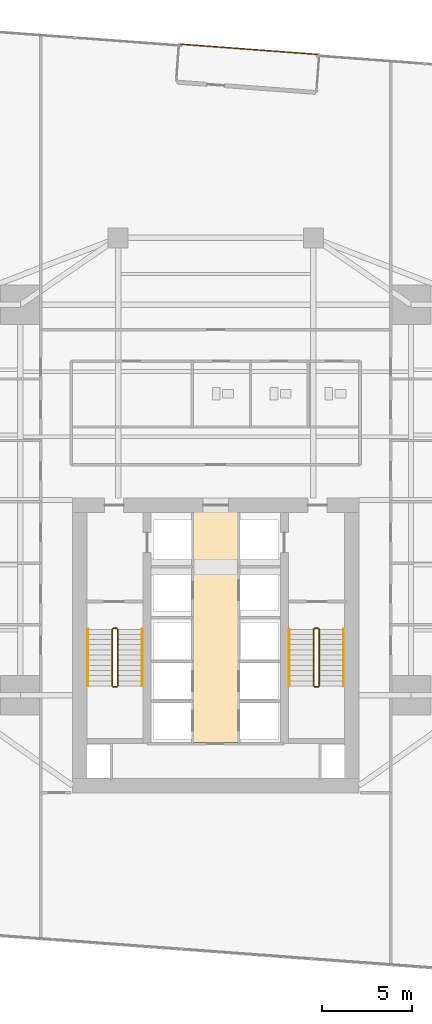
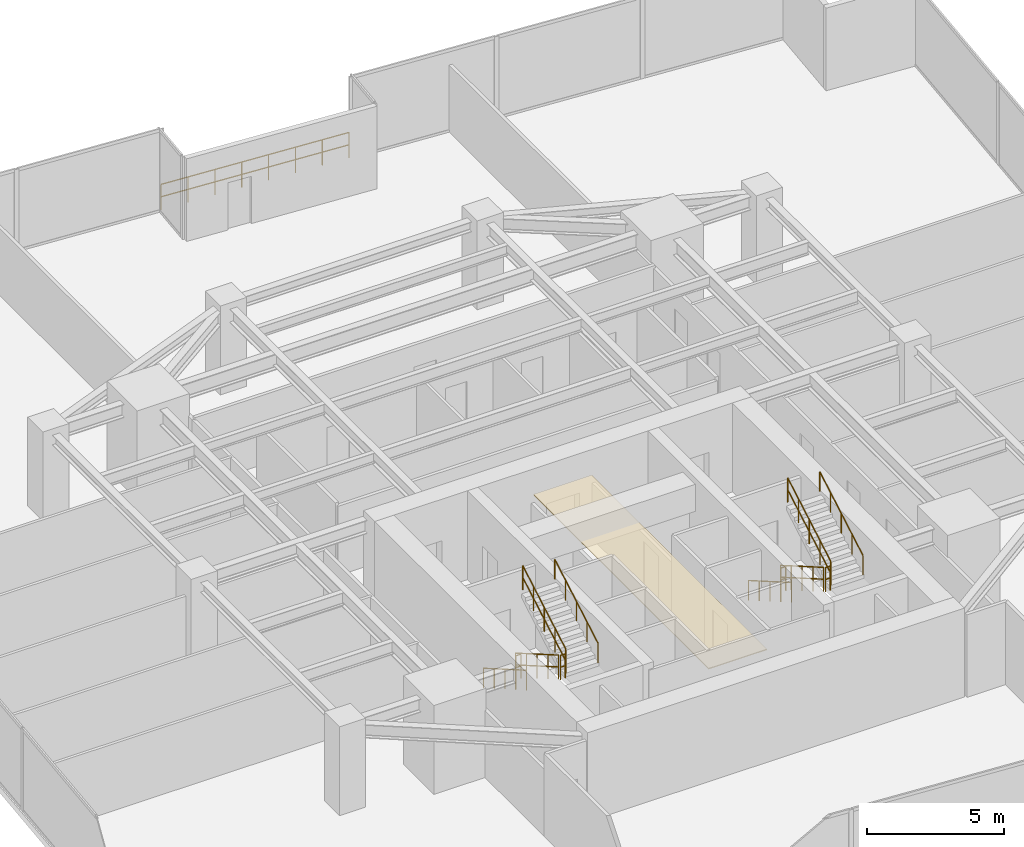
# One storey, part 29 of 30: 13 railings, 1 covering.
"""IFC4 building model written with IfcOpenShell, lengths in metres."""

import ifcopenshell
import ifcopenshell.guid

model = None  # the IFC model being written
_history = None  # IfcOwnerHistory: only IFC2X3 demands one
_inside = {}  # id of a spatial element -> (the spatial element, [elements in it])
_under = {}  # id of a project, library or spatial element -> (it, [spatial elements below it])
_declared = {}  # id of a project -> (the project, [libraries it declares])
_typed = {}  # id of a type object -> (the type object, [elements of that type])
_made_of = {}  # id of a material, layer set ... -> (it, [elements and type objects made of it])


def new_model(schema):
    """Start an empty IFC model of exactly this schema.

    Asked for "IFC4X3", IfcOpenShell would pick the latest addendum, in which some entities
    have other attributes; the version numbers below select the first issue.
    IFC2X3 requires an IfcOwnerHistory on every rooted entity: one is made here for all.
    """
    global model, _history
    if schema == "IFC4X3":
        model = ifcopenshell.file(schema_version=(4, 3, 0, 0))
    else:
        model = ifcopenshell.file(schema=schema)
    _inside.clear()
    _under.clear()
    _declared.clear()
    _typed.clear()
    _made_of.clear()
    _history = None
    if model.schema == "IFC2X3":
        org = make("IfcOrganization", Name="unknown")
        user = make(
            "IfcPersonAndOrganization",
            ThePerson=make("IfcPerson", FamilyName="unknown"),
            TheOrganization=org,
        )
        app = make(
            "IfcApplication",
            ApplicationDeveloper=org,
            Version="unknown",
            ApplicationFullName="unknown",
            ApplicationIdentifier="unknown",
        )
        _history = make(
            "IfcOwnerHistory",
            OwningUser=user,
            OwningApplication=app,
            ChangeAction="ADDED",
            CreationDate=0,
        )
    return model


def make(cls, **values):
    """One entity of the class cls with the attributes given. An attribute that is None is left unset."""
    return model.create_entity(
        cls, **{name: value for name, value in values.items() if value is not None}
    )


def rooted(cls, **values):
    """An entity with a GlobalId (a new one), such as an element, a storey or a relation."""
    return make(cls, GlobalId=ifcopenshell.guid.new(), OwnerHistory=_history, **values)


def si_unit(unit_type, name, prefix=None):
    """IfcSIUnit, for example si_unit("LENGTHUNIT", "METRE", prefix="MILLI")."""
    return make("IfcSIUnit", UnitType=unit_type, Prefix=prefix, Name=name)


def assignment(units):
    """IfcUnitAssignment: the units of a project."""
    return None if units is None else make("IfcUnitAssignment", Units=units)


def point(xyz):
    """IfcCartesianPoint."""
    return None if xyz is None else make("IfcCartesianPoint", Coordinates=xyz)


def direction(xyz):
    """IfcDirection."""
    return None if xyz is None else make("IfcDirection", DirectionRatios=xyz)


def frame(location, z_axis=None, x_axis=None):
    """IfcAxis2Placement3D, a coordinate frame: its origin and axes. An axis left out is left unset."""
    return make(
        "IfcAxis2Placement3D",
        Location=point(location),
        Axis=direction(z_axis),
        RefDirection=direction(x_axis),
    )


def frame_2d(location, x_axis=None):
    """IfcAxis2Placement2D, a coordinate frame in the plane: its origin and x axis."""
    return make(
        "IfcAxis2Placement2D", Location=point(location), RefDirection=direction(x_axis)
    )


def origin():
    """The frame at (0, 0, 0) with its axes left unset."""
    return frame((0.0, 0.0, 0.0))


def origin_2d():
    """The frame at (0, 0) in the plane with its x axis left unset."""
    return frame_2d((0.0, 0.0))


def place(relative_to, where):
    """IfcLocalPlacement: puts the frame where relative to a parent placement (None: the world)."""
    return make(
        "IfcLocalPlacement", PlacementRelTo=relative_to, RelativePlacement=where
    )


def context(
    kind, dimensions, precision=None, world=None, true_north=None, identifier=None
):
    """IfcGeometricRepresentationContext, for example the 3D "Model" context."""
    return make(
        "IfcGeometricRepresentationContext",
        ContextIdentifier=identifier,
        ContextType=kind,
        CoordinateSpaceDimension=dimensions,
        Precision=precision,
        WorldCoordinateSystem=world,
        TrueNorth=true_north,
    )


def subcontext(parent, identifier, kind, view, scale=None):
    """IfcGeometricRepresentationSubContext, for example "Body" below "Model"."""
    return make(
        "IfcGeometricRepresentationSubContext",
        ContextIdentifier=identifier,
        ContextType=kind,
        ParentContext=parent,
        TargetScale=scale,
        TargetView=view,
    )


def project(units=None, contexts=None):
    """IfcProject with its units and contexts."""
    return rooted(
        "IfcProject",
        Name="project",
        RepresentationContexts=contexts,
        UnitsInContext=assignment(units),
    )


def spatial(cls, under=None, at=None, **own):
    """A site, building, storey or space (cls), placed at a placement, below another one or the project."""
    s = rooted(cls, ObjectPlacement=at, **own)
    if under is not None:
        _under.setdefault(under.id(), (under, []))[1].append(s)
    return s


def polyline(points):
    """IfcPolyline through the points."""
    return make("IfcPolyline", Points=[point(p) for p in points])


def profile(cls, at=None, kind="AREA", **sizes):
    """A parametric profile (cls). Its sizes go by their IFC names, for example OverallWidth=200.0."""
    return make(cls, ProfileType=kind, Position=at, **sizes)


def circle(**sizes):
    """IfcCircleProfileDef."""
    return profile("IfcCircleProfileDef", **sizes)


def outline(outer, holes=None, kind="AREA"):
    """IfcArbitraryClosedProfileDef: a profile drawn as a closed curve; with holes, ...WithVoids."""
    if holes is None:
        return make("IfcArbitraryClosedProfileDef", ProfileType=kind, OuterCurve=outer)
    return make(
        "IfcArbitraryProfileDefWithVoids",
        ProfileType=kind,
        OuterCurve=outer,
        InnerCurves=holes,
    )


def extrude(swept, where, along, depth):
    """IfcExtrudedAreaSolid: the profile swept, set in the frame where, extruded along a direction by depth."""
    return make(
        "IfcExtrudedAreaSolid",
        SweptArea=swept,
        Position=where,
        ExtrudedDirection=direction(along),
        Depth=depth,
    )


def shape(context_of_items, identifier, shape_type, items):
    """IfcShapeRepresentation: the items that make up one representation, for example the "Body"."""
    return make(
        "IfcShapeRepresentation",
        ContextOfItems=context_of_items,
        RepresentationIdentifier=identifier,
        RepresentationType=shape_type,
        Items=items,
    )


def material(Name=None, Category=None):
    """IfcMaterial."""
    return make("IfcMaterial", Name=Name, Category=Category)


def layer(
    of_material, thickness, ventilated=None, Name=None, Category=None, Priority=None
):
    """IfcMaterialLayer: one layer of a wall or slab, of a material (None: an air gap)."""
    return make(
        "IfcMaterialLayer",
        Material=of_material,
        LayerThickness=thickness,
        IsVentilated=ventilated,
        Name=Name,
        Category=Category,
        Priority=Priority,
    )


def layer_set(layers, Name=None):
    """IfcMaterialLayerSet."""
    return make("IfcMaterialLayerSet", MaterialLayers=layers, LayerSetName=Name)


def made_of(thing, what):
    """Note that an element or type object is made of a material, layer set ...; save() writes the relation."""
    if what is not None:
        _made_of.setdefault(what.id(), (what, []))[1].append(thing)
    return thing


def type_object(cls, material=None, **own):
    """A type object (cls), such as IfcWallType, which elements share."""
    return made_of(rooted(cls, **own), material)


def element(
    cls,
    number,
    at=None,
    inside=None,
    cuts=None,
    type_object=None,
    material=None,
    context=None,
    identifier="Body",
    shape_type=None,
    held_by="IfcProductDefinitionShape",
    body=None,
    shapes=None,
    **own,
):
    """One element of the class cls, such as IfcWall. Its Tag is "e" and its number.

    at: its placement. inside: the storey or other place that contains it. cuts: it is an
    opening in that element (IfcRelVoidsElement). A single representation is given by context,
    identifier, shape_type and body (its items); several are given by shapes. held_by: the class
    of the entity that holds the representations. save() writes the other relations.
    """
    e = rooted(cls, Tag="e%d" % number, ObjectPlacement=at, **own)
    if body is not None:
        shapes = [shape(context, identifier, shape_type, body)]
    if shapes is not None:
        e.Representation = make(held_by, Representations=shapes)
    if inside is not None:
        _inside.setdefault(inside.id(), (inside, []))[1].append(e)
    if cuts is not None:
        rooted(
            "IfcRelVoidsElement", RelatingBuildingElement=cuts, RelatedOpeningElement=e
        )
    if type_object is not None:
        _typed.setdefault(type_object.id(), (type_object, []))[1].append(e)
    return made_of(e, material)


def aggregate(whole, parts):
    """IfcRelAggregates: a whole, such as a stair, and the parts it consists of."""
    return rooted("IfcRelAggregates", RelatingObject=whole, RelatedObjects=parts)


def save(model, path):
    """Write the relations noted so far, then the file.

    IfcRelAggregates (storeys below a building ...), IfcRelContainedInSpatialStructure (elements
    in a storey), IfcRelDefinesByType, IfcRelAssociatesMaterial and IfcRelDeclares: one each for
    every whole, place, type object, material and project.
    """
    for whole, parts in _under.values():
        aggregate(whole, parts)
    for where, things in _inside.values():
        rooted(
            "IfcRelContainedInSpatialStructure",
            RelatedElements=things,
            RelatingStructure=where,
        )
    for kind, things in _typed.values():
        rooted("IfcRelDefinesByType", RelatedObjects=things, RelatingType=kind)
    for what, things in _made_of.values():
        rooted("IfcRelAssociatesMaterial", RelatedObjects=things, RelatingMaterial=what)
    for by, libraries in _declared.values():
        rooted("IfcRelDeclares", RelatingContext=by, RelatedDefinitions=libraries)
    model.write(path)


model = new_model("IFC4")

# Units and contexts
model_context = context("Model", 3, precision=1e-05, world=origin(), true_north=direction((0.0, 1.0)))
body_context = subcontext(model_context, "Body", "Model", "MODEL_VIEW")
ifc_project = project(units=[si_unit("LENGTHUNIT", "METRE"), si_unit("AREAUNIT", "SQUARE_METRE"), si_unit("VOLUMEUNIT", "CUBIC_METRE"), si_unit("PLANEANGLEUNIT", "RADIAN"), si_unit("MASSUNIT", "GRAM", prefix="KILO")], contexts=[model_context])

# Site, building, storey
site_placement = place(None, origin())
site = spatial("IfcSite", under=ifc_project, at=site_placement, CompositionType="ELEMENT")
building_placement = place(site_placement, origin())
building = spatial("IfcBuilding", under=site, at=building_placement, Name="Krantzveldt Concourse Tower", CompositionType="ELEMENT")
storey_placement = place(building_placement, frame((0.0, 0.0, 52.64990234375)))
storey = spatial("IfcBuildingStorey", under=building, at=storey_placement, Name="L12", CompositionType="ELEMENT", Elevation=52.64990234375)

# Covering
ifc_material_1 = material(Name="Perforated acoustic mineral-fibre ceiling tile", Category="ceiling")
ifc_layer_1 = layer(ifc_material_1, 0.0400390625, Name="Perforated acoustic mineral-fibre ceiling tile", Category="ceiling")
ifc_layer_set_1 = layer_set([ifc_layer_1], Name="Perforated acoustic mineral-fibre ceiling tile (COV-CEIL-ACOUSTIC)")
covering_type = type_object("IfcCoveringType", Name="COV-CEIL-ACOUSTIC", PredefinedType="CEILING", material=ifc_layer_set_1)
covering_placement = place(storey_placement, frame((0.0, 0.0, 2.75)))
element("IfcCovering", 1, at=covering_placement, inside=storey, type_object=covering_type, Name="CLG-L12-LLB", PredefinedType="CEILING", context=body_context, shape_type="SweptSolid", body=[
    extrude(outline(polyline([(37.22509765625, 13.27490234375), (34.77490234375, 13.27490234375), (34.77490234375, 26.044921875), (37.22509765625, 26.044921875), (37.22509765625, 13.27490234375)])), origin(), (0.0, 0.0, 1.0), 0.0400390625),
])

# Railings
ifc_material_2 = material(Name="Stainless steel 316L", Category="steel")
ifc_layer_2 = layer(ifc_material_2, 0.080078125, Name="Stainless steel 316L", Category="steel")
ifc_layer_set_2 = layer_set([ifc_layer_2], Name="Stainless steel 316L (RL-BALUSTRADE-1150)")
railing_type_1 = type_object("IfcRailingType", Name="RL-BALUSTRADE-1150", PredefinedType="BALUSTRADE", material=ifc_layer_set_2)
railing_1_placement = place(storey_placement, frame((34.063232421875, 51.912841796875, 0.0)))
element("IfcRailing", 2, at=railing_1_placement, inside=storey, type_object=railing_type_1, Name="GD-L12-CTER-01", PredefinedType="BALUSTRADE", context=body_context, shape_type="SweptSolid", body=[
    extrude(circle(Radius=0.02392578125, at=origin_2d()), frame((0.0, 0.0, 1.1259765625), z_axis=(0.997250108425, -0.074109521973, 0.0), x_axis=(0.074109521973, 0.997250108425, 0.0)), (0.0, 0.0, 1.0), 7.60009765625),
    extrude(circle(Radius=0.02392578125, at=origin_2d()), frame((0.0, 0.0, 0.574951171875), z_axis=(0.997250108425, -0.074109521973, 0.0), x_axis=(0.074109521973, 0.997250108425, 0.0)), (0.0, 0.0, 1.0), 7.60009765625),
    extrude(circle(Radius=0.02099609375, at=origin_2d()), origin(), (0.0, 0.0, 1.0), 1.101806640625),
    extrude(circle(Radius=0.02099609375, at=origin_2d()), frame((1.082763671875, -0.08056640625, 0.0)), (0.0, 0.0, 1.0), 1.101806640625),
    extrude(circle(Radius=0.02099609375, at=origin_2d()), frame((2.16552734375, -0.160888671875, 0.0)), (0.0, 0.0, 1.0), 1.101806640625),
    extrude(circle(Radius=0.02099609375, at=origin_2d()), frame((3.248291015625, -0.241455078125, 0.0)), (0.0, 0.0, 1.0), 1.101806640625),
    extrude(circle(Radius=0.02099609375, at=origin_2d()), frame((4.330810546875, -0.32177734375, 0.0)), (0.0, 0.0, 1.0), 1.101806640625),
    extrude(circle(Radius=0.02099609375, at=origin_2d()), frame((5.41357421875, -0.40234375, 0.0)), (0.0, 0.0, 1.0), 1.101806640625),
    extrude(circle(Radius=0.02099609375, at=origin_2d()), frame((6.496337890625, -0.482666015625, 0.0)), (0.0, 0.0, 1.0), 1.101806640625),
    extrude(circle(Radius=0.02099609375, at=origin_2d()), frame((7.5791015625, -0.563232421875, 0.0)), (0.0, 0.0, 1.0), 1.101806640625),
])
ifc_layer_3 = layer(ifc_material_2, 0.06005859375, Name="Stainless steel 316L", Category="steel")
ifc_layer_set_3 = layer_set([ifc_layer_3], Name="Stainless steel 316L (RL-GUARD-1120)")
railing_type_2 = type_object("IfcRailingType", Name="RL-GUARD-1120", PredefinedType="GUARDRAIL", material=ifc_layer_set_3)
railing_2_placement = place(storey_placement, frame((30.280029296875, 19.550048828125, 0.164794921875)))
element("IfcRailing", 3, at=railing_2_placement, inside=storey, type_object=railing_type_2, Name="L12 ST-1 stair guard 1", PredefinedType="GUARDRAIL", context=body_context, shape_type="SweptSolid", body=[
    extrude(circle(Radius=0.02392578125, at=origin_2d()), frame((0.0, 0.0, 1.076171875), z_axis=(0.0, -0.865989039225, 0.500062979975), x_axis=(1.0, 0.0, 0.0)), (0.0, 0.0, 1.0), 3.6201171875),
    extrude(circle(Radius=0.02392578125, at=origin_2d()), frame((0.0, 0.0, 0.550048828125), z_axis=(0.0, -0.865989039225, 0.500062979975), x_axis=(1.0, 0.0, 0.0)), (0.0, 0.0, 1.0), 3.6201171875),
    extrude(circle(Radius=0.02099609375, at=origin_2d()), origin(), (0.0, 0.0, 1.0), 1.052001953125),
    extrude(circle(Radius=0.02099609375, at=origin_2d()), frame((0.0, -0.78369140625, 0.45263671875)), (0.0, 0.0, 1.0), 1.052001953125),
    extrude(circle(Radius=0.02099609375, at=origin_2d()), frame((0.0, -1.5673828125, 0.9052734375)), (0.0, 0.0, 1.0), 1.052001953125),
    extrude(circle(Radius=0.02099609375, at=origin_2d()), frame((0.0, -2.351318359375, 1.357666015625)), (0.0, 0.0, 1.0), 1.052001953125),
    extrude(circle(Radius=0.02099609375, at=origin_2d()), frame((0.0, -3.135009765625, 1.810302734375)), (0.0, 0.0, 1.0), 1.052001953125),
])
railing_3_placement = place(storey_placement, frame((30.330078125, 16.364990234375, 1.97509765625)))
element("IfcRailing", 4, at=railing_3_placement, inside=storey, type_object=railing_type_2, Name="L12 ST-1 stair guard 2", PredefinedType="GUARDRAIL", context=body_context, shape_type="SweptSolid", body=[
    extrude(circle(Radius=0.02392578125, at=origin_2d()), frame((0.0, 0.0, 1.076171875), z_axis=(1.0, 0.0, 0.0), x_axis=(0.0, 1.0, 0.0)), (0.0, 0.0, 1.0), 0.199951171875),
    extrude(circle(Radius=0.02392578125, at=origin_2d()), frame((0.0, 0.0, 0.550048828125), z_axis=(1.0, 0.0, 0.0), x_axis=(0.0, 1.0, 0.0)), (0.0, 0.0, 1.0), 0.199951171875),
    extrude(circle(Radius=0.02099609375, at=origin_2d()), origin(), (0.0, 0.0, 1.0), 1.052001953125),
    extrude(circle(Radius=0.02099609375, at=origin_2d()), frame((0.199951171875, 0.0, 0.0)), (0.0, 0.0, 1.0), 1.052001953125),
])
railing_4_placement = place(storey_placement, frame((30.580078125, 16.4150390625, 2.1396484375)))
element("IfcRailing", 5, at=railing_4_placement, inside=storey, type_object=railing_type_2, Name="L12 ST-1 stair guard 3", PredefinedType="GUARDRAIL", context=body_context, shape_type="SweptSolid", body=[
    extrude(circle(Radius=0.02392578125, at=origin_2d()), frame((0.0, 0.0, 1.076171875), z_axis=(0.0, 0.865959834175, 0.500113552702), x_axis=(-1.0, 0.0, 0.0)), (0.0, 0.0, 1.0), 3.620361328125),
    extrude(circle(Radius=0.02392578125, at=origin_2d()), frame((0.0, 0.0, 0.550048828125), z_axis=(0.0, 0.865959834175, 0.500113552702), x_axis=(-1.0, 0.0, 0.0)), (0.0, 0.0, 1.0), 3.620361328125),
    extrude(circle(Radius=0.02099609375, at=origin_2d()), origin(), (0.0, 0.0, 1.0), 1.052001953125),
    extrude(circle(Radius=0.02099609375, at=origin_2d()), frame((0.0, 0.78369140625, 0.45263671875)), (0.0, 0.0, 1.0), 1.052001953125),
    extrude(circle(Radius=0.02099609375, at=origin_2d()), frame((0.0, 1.5673828125, 0.9052734375)), (0.0, 0.0, 1.0), 1.052001953125),
    extrude(circle(Radius=0.02099609375, at=origin_2d()), frame((0.0, 2.351318359375, 1.35791015625)), (0.0, 0.0, 1.0), 1.052001953125),
    extrude(circle(Radius=0.02099609375, at=origin_2d()), frame((0.0, 3.135009765625, 1.810546875)), (0.0, 0.0, 1.0), 1.052001953125),
])
railing_5_placement = place(storey_placement, frame((30.330078125, 19.60009765625, 0.0)))
element("IfcRailing", 6, at=railing_5_placement, inside=storey, type_object=railing_type_2, Name="L12 ST-1 stair guard 4", PredefinedType="GUARDRAIL", context=body_context, shape_type="SweptSolid", body=[
    extrude(circle(Radius=0.02392578125, at=origin_2d()), frame((0.0, 0.0, 1.076171875), z_axis=(1.0, 0.0, 0.0), x_axis=(0.0, 1.0, 0.0)), (0.0, 0.0, 1.0), 0.199951171875),
    extrude(circle(Radius=0.02392578125, at=origin_2d()), frame((0.0, 0.0, 0.550048828125), z_axis=(1.0, 0.0, 0.0), x_axis=(0.0, 1.0, 0.0)), (0.0, 0.0, 1.0), 0.199951171875),
    extrude(circle(Radius=0.02099609375, at=origin_2d()), origin(), (0.0, 0.0, 1.0), 1.052001953125),
    extrude(circle(Radius=0.02099609375, at=origin_2d()), frame((0.199951171875, 0.0, 0.0)), (0.0, 0.0, 1.0), 1.052001953125),
])
railing_6_placement = place(storey_placement, frame((41.419921875, 19.550048828125, 0.164794921875)))
element("IfcRailing", 7, at=railing_6_placement, inside=storey, type_object=railing_type_2, Name="L12 ST-2 stair guard 1", PredefinedType="GUARDRAIL", context=body_context, shape_type="SweptSolid", body=[
    extrude(circle(Radius=0.02392578125, at=origin_2d()), frame((0.0, 0.0, 1.076171875), z_axis=(0.0, -0.865989039225, 0.500062979975), x_axis=(1.0, 0.0, 0.0)), (0.0, 0.0, 1.0), 3.6201171875),
    extrude(circle(Radius=0.02392578125, at=origin_2d()), frame((0.0, 0.0, 0.550048828125), z_axis=(0.0, -0.865989039225, 0.500062979975), x_axis=(1.0, 0.0, 0.0)), (0.0, 0.0, 1.0), 3.6201171875),
    extrude(circle(Radius=0.02099609375, at=origin_2d()), origin(), (0.0, 0.0, 1.0), 1.052001953125),
    extrude(circle(Radius=0.02099609375, at=origin_2d()), frame((0.0, -0.78369140625, 0.45263671875)), (0.0, 0.0, 1.0), 1.052001953125),
    extrude(circle(Radius=0.02099609375, at=origin_2d()), frame((0.0, -1.5673828125, 0.9052734375)), (0.0, 0.0, 1.0), 1.052001953125),
    extrude(circle(Radius=0.02099609375, at=origin_2d()), frame((0.0, -2.351318359375, 1.357666015625)), (0.0, 0.0, 1.0), 1.052001953125),
    extrude(circle(Radius=0.02099609375, at=origin_2d()), frame((0.0, -3.135009765625, 1.810302734375)), (0.0, 0.0, 1.0), 1.052001953125),
])
railing_7_placement = place(storey_placement, frame((41.469970703125, 16.364990234375, 1.97509765625)))
element("IfcRailing", 8, at=railing_7_placement, inside=storey, type_object=railing_type_2, Name="L12 ST-2 stair guard 2", PredefinedType="GUARDRAIL", context=body_context, shape_type="SweptSolid", body=[
    extrude(circle(Radius=0.02392578125, at=origin_2d()), frame((0.0, 0.0, 1.076171875), z_axis=(1.0, 0.0, 0.0), x_axis=(0.0, 1.0, 0.0)), (0.0, 0.0, 1.0), 0.199951171875),
    extrude(circle(Radius=0.02392578125, at=origin_2d()), frame((0.0, 0.0, 0.550048828125), z_axis=(1.0, 0.0, 0.0), x_axis=(0.0, 1.0, 0.0)), (0.0, 0.0, 1.0), 0.199951171875),
    extrude(circle(Radius=0.02099609375, at=origin_2d()), origin(), (0.0, 0.0, 1.0), 1.052001953125),
    extrude(circle(Radius=0.02099609375, at=origin_2d()), frame((0.199951171875, 0.0, 0.0)), (0.0, 0.0, 1.0), 1.052001953125),
])
railing_8_placement = place(storey_placement, frame((41.719970703125, 16.4150390625, 2.1396484375)))
element("IfcRailing", 9, at=railing_8_placement, inside=storey, type_object=railing_type_2, Name="L12 ST-2 stair guard 3", PredefinedType="GUARDRAIL", context=body_context, shape_type="SweptSolid", body=[
    extrude(circle(Radius=0.02392578125, at=origin_2d()), frame((0.0, 0.0, 1.076171875), z_axis=(0.0, 0.865959834175, 0.500113552702), x_axis=(-1.0, 0.0, 0.0)), (0.0, 0.0, 1.0), 3.620361328125),
    extrude(circle(Radius=0.02392578125, at=origin_2d()), frame((0.0, 0.0, 0.550048828125), z_axis=(0.0, 0.865959834175, 0.500113552702), x_axis=(-1.0, 0.0, 0.0)), (0.0, 0.0, 1.0), 3.620361328125),
    extrude(circle(Radius=0.02099609375, at=origin_2d()), origin(), (0.0, 0.0, 1.0), 1.052001953125),
    extrude(circle(Radius=0.02099609375, at=origin_2d()), frame((0.0, 0.78369140625, 0.45263671875)), (0.0, 0.0, 1.0), 1.052001953125),
    extrude(circle(Radius=0.02099609375, at=origin_2d()), frame((0.0, 1.5673828125, 0.9052734375)), (0.0, 0.0, 1.0), 1.052001953125),
    extrude(circle(Radius=0.02099609375, at=origin_2d()), frame((0.0, 2.351318359375, 1.35791015625)), (0.0, 0.0, 1.0), 1.052001953125),
    extrude(circle(Radius=0.02099609375, at=origin_2d()), frame((0.0, 3.135009765625, 1.810546875)), (0.0, 0.0, 1.0), 1.052001953125),
])
railing_9_placement = place(storey_placement, frame((41.469970703125, 19.60009765625, 0.0)))
element("IfcRailing", 10, at=railing_9_placement, inside=storey, type_object=railing_type_2, Name="L12 ST-2 stair guard 4", PredefinedType="GUARDRAIL", context=body_context, shape_type="SweptSolid", body=[
    extrude(circle(Radius=0.02392578125, at=origin_2d()), frame((0.0, 0.0, 1.076171875), z_axis=(1.0, 0.0, 0.0), x_axis=(0.0, 1.0, 0.0)), (0.0, 0.0, 1.0), 0.199951171875),
    extrude(circle(Radius=0.02392578125, at=origin_2d()), frame((0.0, 0.0, 0.550048828125), z_axis=(1.0, 0.0, 0.0), x_axis=(0.0, 1.0, 0.0)), (0.0, 0.0, 1.0), 0.199951171875),
    extrude(circle(Radius=0.02099609375, at=origin_2d()), origin(), (0.0, 0.0, 1.0), 1.052001953125),
    extrude(circle(Radius=0.02099609375, at=origin_2d()), frame((0.199951171875, 0.0, 0.0)), (0.0, 0.0, 1.0), 1.052001953125),
])
ifc_layer_4 = layer(ifc_material_2, 0.050048828125, Name="Stainless steel 316L", Category="steel")
ifc_layer_set_4 = layer_set([ifc_layer_4], Name="Stainless steel 316L (RL-HANDRAIL-920)")
railing_type_3 = type_object("IfcRailingType", Name="RL-HANDRAIL-920", PredefinedType="HANDRAIL", material=ifc_layer_set_4)
railing_10_placement = place(storey_placement, frame((28.929931640625, 19.550048828125, 0.164794921875)))
element("IfcRailing", 11, at=railing_10_placement, inside=storey, type_object=railing_type_3, Name="L12 ST-1 stair handrail 1", PredefinedType="HANDRAIL", context=body_context, shape_type="SweptSolid", body=[
    extrude(circle(Radius=0.02392578125, at=origin_2d()), frame((0.0, 0.0, 0.8759765625), z_axis=(0.0, -0.865989039225, 0.500062979975), x_axis=(1.0, 0.0, 0.0)), (0.0, 0.0, 1.0), 3.6201171875),
    extrude(circle(Radius=0.02099609375, at=origin_2d()), origin(), (0.0, 0.0, 1.0), 0.851806640625),
    extrude(circle(Radius=0.02099609375, at=origin_2d()), frame((0.0, -0.78369140625, 0.45263671875)), (0.0, 0.0, 1.0), 0.851806640625),
    extrude(circle(Radius=0.02099609375, at=origin_2d()), frame((0.0, -1.5673828125, 0.9052734375)), (0.0, 0.0, 1.0), 0.851806640625),
    extrude(circle(Radius=0.02099609375, at=origin_2d()), frame((0.0, -2.351318359375, 1.357666015625)), (0.0, 0.0, 1.0), 0.851806640625),
    extrude(circle(Radius=0.02099609375, at=origin_2d()), frame((0.0, -3.135009765625, 1.810302734375)), (0.0, 0.0, 1.0), 0.851806640625),
])
railing_11_placement = place(storey_placement, frame((31.929931640625, 16.4150390625, 2.1396484375)))
element("IfcRailing", 12, at=railing_11_placement, inside=storey, type_object=railing_type_3, Name="L12 ST-1 stair handrail 2", PredefinedType="HANDRAIL", context=body_context, shape_type="SweptSolid", body=[
    extrude(circle(Radius=0.02392578125, at=origin_2d()), frame((0.0, 0.0, 0.8759765625), z_axis=(0.0, 0.865959834175, 0.500113552702), x_axis=(-1.0, 0.0, 0.0)), (0.0, 0.0, 1.0), 3.620361328125),
    extrude(circle(Radius=0.02099609375, at=origin_2d()), origin(), (0.0, 0.0, 1.0), 0.851806640625),
    extrude(circle(Radius=0.02099609375, at=origin_2d()), frame((0.0, 0.78369140625, 0.45263671875)), (0.0, 0.0, 1.0), 0.851806640625),
    extrude(circle(Radius=0.02099609375, at=origin_2d()), frame((0.0, 1.5673828125, 0.9052734375)), (0.0, 0.0, 1.0), 0.851806640625),
    extrude(circle(Radius=0.02099609375, at=origin_2d()), frame((0.0, 2.351318359375, 1.35791015625)), (0.0, 0.0, 1.0), 0.851806640625),
    extrude(circle(Radius=0.02099609375, at=origin_2d()), frame((0.0, 3.135009765625, 1.810546875)), (0.0, 0.0, 1.0), 0.851806640625),
])
railing_12_placement = place(storey_placement, frame((40.070068359375, 19.550048828125, 0.164794921875)))
element("IfcRailing", 13, at=railing_12_placement, inside=storey, type_object=railing_type_3, Name="L12 ST-2 stair handrail 1", PredefinedType="HANDRAIL", context=body_context, shape_type="SweptSolid", body=[
    extrude(circle(Radius=0.02392578125, at=origin_2d()), frame((0.0, 0.0, 0.8759765625), z_axis=(0.0, -0.865989039225, 0.500062979975), x_axis=(1.0, 0.0, 0.0)), (0.0, 0.0, 1.0), 3.6201171875),
    extrude(circle(Radius=0.02099609375, at=origin_2d()), origin(), (0.0, 0.0, 1.0), 0.851806640625),
    extrude(circle(Radius=0.02099609375, at=origin_2d()), frame((0.0, -0.78369140625, 0.45263671875)), (0.0, 0.0, 1.0), 0.851806640625),
    extrude(circle(Radius=0.02099609375, at=origin_2d()), frame((0.0, -1.5673828125, 0.9052734375)), (0.0, 0.0, 1.0), 0.851806640625),
    extrude(circle(Radius=0.02099609375, at=origin_2d()), frame((0.0, -2.351318359375, 1.357666015625)), (0.0, 0.0, 1.0), 0.851806640625),
    extrude(circle(Radius=0.02099609375, at=origin_2d()), frame((0.0, -3.135009765625, 1.810302734375)), (0.0, 0.0, 1.0), 0.851806640625),
])
railing_13_placement = place(storey_placement, frame((43.070068359375, 16.4150390625, 2.1396484375)))
element("IfcRailing", 14, at=railing_13_placement, inside=storey, type_object=railing_type_3, Name="L12 ST-2 stair handrail 2", PredefinedType="HANDRAIL", context=body_context, shape_type="SweptSolid", body=[
    extrude(circle(Radius=0.02392578125, at=origin_2d()), frame((0.0, 0.0, 0.8759765625), z_axis=(0.0, 0.865959834175, 0.500113552702), x_axis=(-1.0, 0.0, 0.0)), (0.0, 0.0, 1.0), 3.620361328125),
    extrude(circle(Radius=0.02099609375, at=origin_2d()), origin(), (0.0, 0.0, 1.0), 0.851806640625),
    extrude(circle(Radius=0.02099609375, at=origin_2d()), frame((0.0, 0.78369140625, 0.45263671875)), (0.0, 0.0, 1.0), 0.851806640625),
    extrude(circle(Radius=0.02099609375, at=origin_2d()), frame((0.0, 1.5673828125, 0.9052734375)), (0.0, 0.0, 1.0), 0.851806640625),
    extrude(circle(Radius=0.02099609375, at=origin_2d()), frame((0.0, 2.351318359375, 1.35791015625)), (0.0, 0.0, 1.0), 0.851806640625),
    extrude(circle(Radius=0.02099609375, at=origin_2d()), frame((0.0, 3.135009765625, 1.810546875)), (0.0, 0.0, 1.0), 0.851806640625),
])

save(model, "model.ifc")
